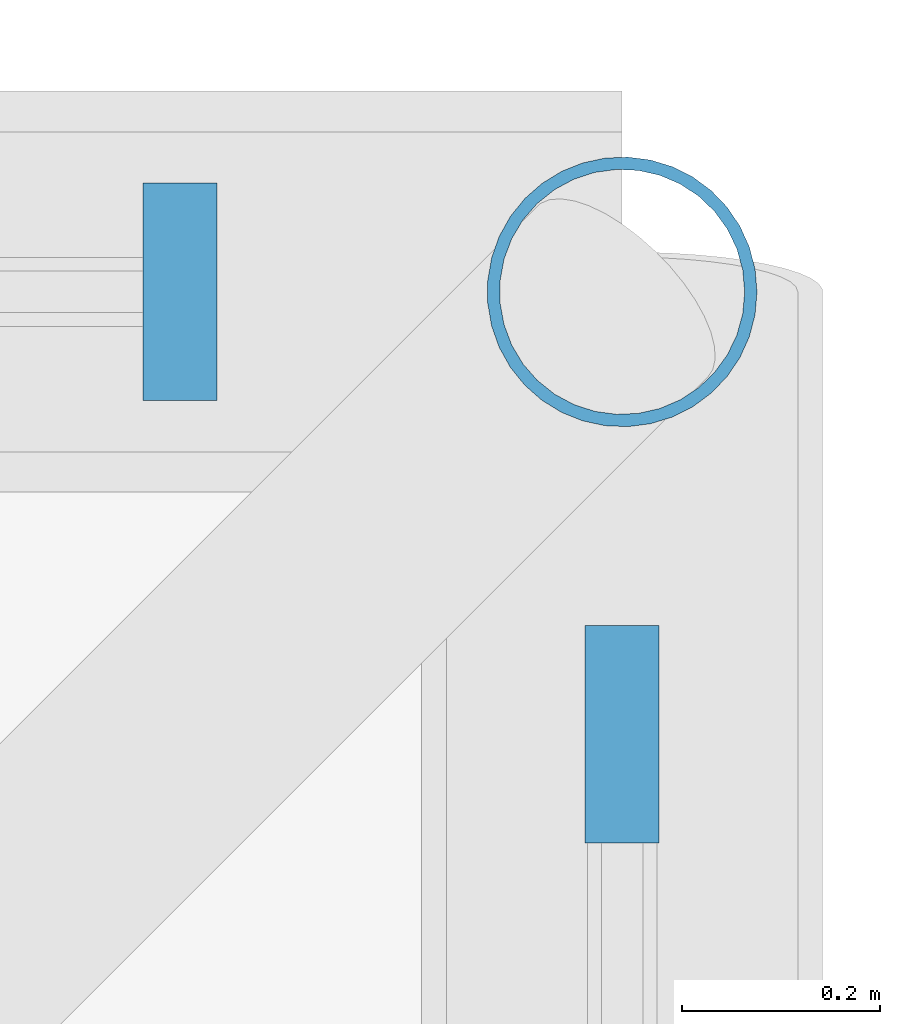
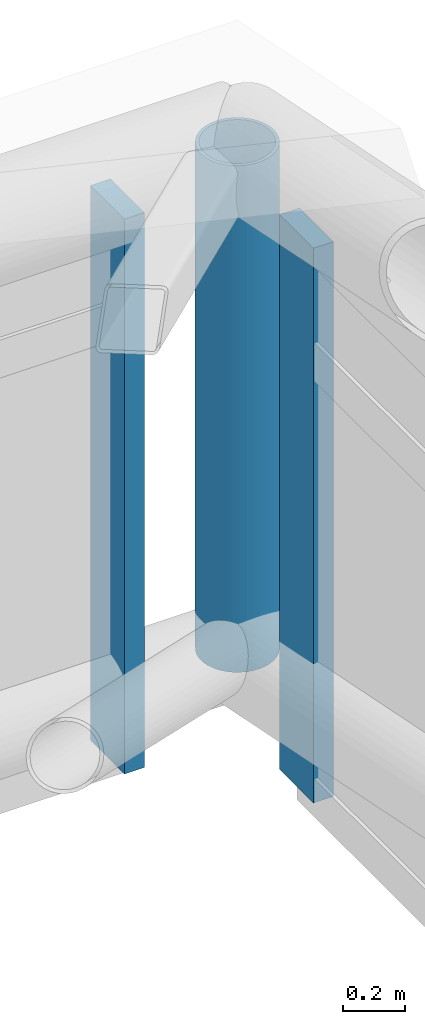
# One storey, part 68 of 110: 3 members, 2 elements without a shape of their own.
"""IFC4 building model written with IfcOpenShell, lengths in metres."""

from ifc_helpers import new_model, si_unit, direction, frame, origin, origin_2d, place, context, subcontext, project, spatial, rectangle, hollow_circle, extrude, material, layer, layer_set, material_profile, profile_set, type_object, element, aggregate, save


model = new_model("IFC4")

# Units and contexts
model_context = context("Model", 3, precision=1e-05, world=origin(), true_north=direction((0.0, 1.0)))
body_context = subcontext(model_context, "Body", "Model", "MODEL_VIEW")
ifc_project = project(units=[si_unit("LENGTHUNIT", "METRE"), si_unit("AREAUNIT", "SQUARE_METRE"), si_unit("VOLUMEUNIT", "CUBIC_METRE"), si_unit("PLANEANGLEUNIT", "RADIAN"), si_unit("MASSUNIT", "GRAM", prefix="KILO")], contexts=[model_context])

# Site, building, storey
site_placement = place(None, origin())
site = spatial("IfcSite", under=ifc_project, at=site_placement, CompositionType="ELEMENT")
building_placement = place(site_placement, origin())
building = spatial("IfcBuilding", under=site, at=building_placement, Name="Qawsi Khor Wholesale Market", CompositionType="ELEMENT")
storey_placement = place(building_placement, frame((0.0, 0.0, 11.39990234375)))
storey = spatial("IfcBuildingStorey", under=building, at=storey_placement, Name="L02", CompositionType="ELEMENT", Elevation=11.39990234375)

# Curtain wall, member
ifc_material_1 = material(Name="Aluminium Anodised Bronze", Category="aluminium")
ifc_layer = layer(ifc_material_1, 0.199951171875, Name="Aluminium Anodised Bronze")
ifc_layer_set = layer_set([ifc_layer], Name="Aluminium Anodised Bronze")
curtain_wall_type = type_object("IfcCurtainWallType", Name="Trading Hall North-Light Curtain Wall CW-03", PredefinedType="NOTDEFINED", material=ifc_layer_set)
curtain_wall_1_placement = place(storey_placement, origin())
curtain_wall_1 = element("IfcCurtainWall", 1, at=curtain_wall_1_placement, inside=storey, type_object=curtain_wall_type, Name="Curtain wall CW-CW-03-L02-144", PredefinedType="NOTDEFINED")
ifc_material_profile_1 = material_profile(ifc_material_1, rectangle(XDim=0.074951171875, YDim=0.219970703125, at=origin_2d()), Name="ALU MULLION 75x220")
ifc_profile_set_1 = profile_set([ifc_material_profile_1], Name="Aluminium Anodised Bronze")
member_type_1 = type_object("IfcMemberType", Name="Curtain Wall Mullion CW-03 ALU MULLION 75x220", PredefinedType="MULLION", material=ifc_profile_set_1)
member_1_placement = place(storey_placement, frame((218.39990234375, 108.75244140625, -0.289794921875), z_axis=(0.0, 0.0, 1.0), x_axis=(1.0, 0.0, 0.0)))
member_1 = element("IfcMember", 2, at=member_1_placement, type_object=member_type_1, Name="Mullion CW-CW-03-L02-144-M03", PredefinedType="MULLION", context=body_context, shape_type="SweptSolid", body=[
    extrude(rectangle(XDim=0.074951171875, YDim=0.219970703125, at=origin_2d()), origin(), (0.0, 0.0, 1.0), 2.18994140625),
])
aggregate(curtain_wall_1, [member_1])

curtain_wall_2_placement = place(storey_placement, origin())
curtain_wall_2 = element("IfcCurtainWall", 3, at=curtain_wall_2_placement, inside=storey, type_object=curtain_wall_type, Name="Curtain wall CW-CW-03-L02-153", PredefinedType="NOTDEFINED")
member_2_placement = place(storey_placement, frame((217.952392578125, 109.199951171875, -0.289794921875), z_axis=(0.0, 0.0, 1.0), x_axis=(1.0, 0.0, 0.0)))
member_2 = element("IfcMember", 4, at=member_2_placement, type_object=member_type_1, Name="Mullion CW-CW-03-L02-153-M03", PredefinedType="MULLION", context=body_context, shape_type="SweptSolid", body=[
    extrude(rectangle(XDim=0.074951171875, YDim=0.219970703125, at=origin_2d()), origin(), (0.0, 0.0, 1.0), 2.18994140625),
])
aggregate(curtain_wall_2, [member_2])

# Member
ifc_material_2 = material(Name="Steel S355", Category="steel")
ifc_material_profile_2 = material_profile(ifc_material_2, hollow_circle(Radius=0.136474609375, WallThickness=0.012451171875, at=origin_2d()), Name="CHS 273.0x12.5")
ifc_profile_set_2 = profile_set([ifc_material_profile_2], Name="Steel S355")
member_type_2 = type_object("IfcMemberType", Name="Space-Frame Edge Post CHS 273.0x12.5", PredefinedType="POST", material=ifc_profile_set_2)
member_3_placement = place(storey_placement, frame((218.39990234375, 109.199951171875, -0.02978515625), z_axis=(0.0, 0.0, 1.0), x_axis=(1.0, 0.0, 0.0)))
element("IfcMember", 5, at=member_3_placement, inside=storey, type_object=member_type_2, Name="Space frame post EH (26,13)", PredefinedType="POST", context=body_context, shape_type="SweptSolid", body=[
    extrude(hollow_circle(Radius=0.136474609375, WallThickness=0.012451171875, at=origin_2d()), origin(), (0.0, 0.0, 1.0), 2.0),
])

save(model, "model.ifc")
